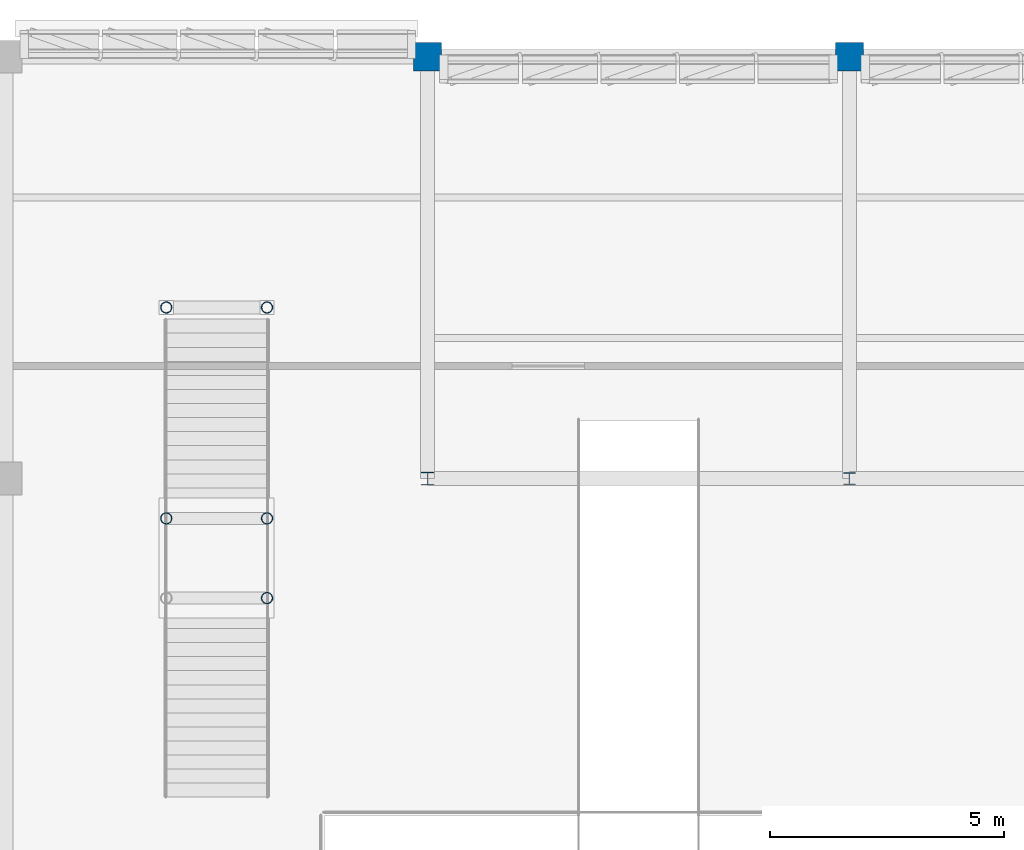
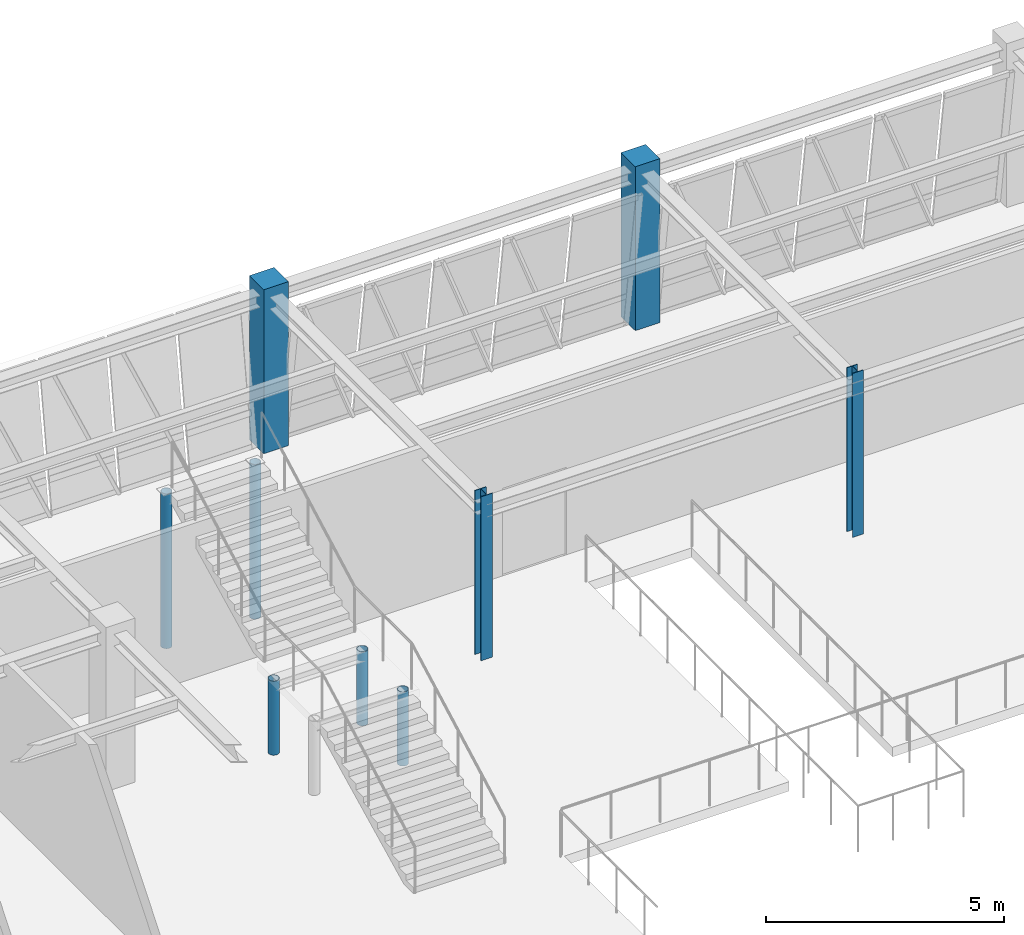
# One storey, part 9 of 108: 9 columns.
"""IFC4 building model written with IfcOpenShell, lengths in metres."""

from ifc_helpers import new_model, si_unit, direction, frame, origin, origin_2d, place, context, subcontext, project, spatial, rectangle, hollow_circle, i_section, extrude, material, material_profile, profile_set, type_object, element, save


model = new_model("IFC4")

# Units and contexts
model_context = context("Model", 3, precision=1e-05, world=origin(), true_north=direction((0.0, 1.0)))
body_context = subcontext(model_context, "Body", "Model", "MODEL_VIEW")
ifc_project = project(units=[si_unit("LENGTHUNIT", "METRE"), si_unit("AREAUNIT", "SQUARE_METRE"), si_unit("VOLUMEUNIT", "CUBIC_METRE"), si_unit("PLANEANGLEUNIT", "RADIAN"), si_unit("MASSUNIT", "GRAM", prefix="KILO")], contexts=[model_context])

# Site, building, storey
site_placement = place(None, origin())
site = spatial("IfcSite", under=ifc_project, at=site_placement, CompositionType="ELEMENT")
building_placement = place(site_placement, origin())
building = spatial("IfcBuilding", under=site, at=building_placement, Name="Lykobir Media Centre", CompositionType="ELEMENT")
storey_placement = place(building_placement, frame((0.0, 0.0, 15.0)))
storey = spatial("IfcBuildingStorey", under=building, at=storey_placement, Name="L03", CompositionType="ELEMENT", Elevation=15.0)

# Columns
ifc_material_1 = material(Name="Concrete C40/50", Category="concrete")
ifc_material_profile_1 = material_profile(ifc_material_1, rectangle(XDim=0.60009765625, YDim=0.60009765625, at=origin_2d()), Name="RC 600x600")
ifc_profile_set_1 = profile_set([ifc_material_profile_1], Name="Concrete C40/50")
column_type_1 = type_object("IfcColumnType", Name="RC-C600-E", PredefinedType="COLUMN", material=ifc_profile_set_1)
for number, where, z_axis, x_axis, name in (
    (1, (54.0, 108.0, 0.0), (0.0, 0.0, 1.0), (1.0, 0.0, 0.0), "Column COL-L03-0540-1080"),
    (2, (63.0, 108.0, 0.0), (0.0, 0.0, 1.0), (1.0, 0.0, 0.0), "Column COL-L03-0630-1080"),
):
    element("IfcColumn", number, at=place(storey_placement, frame(where, z_axis=z_axis, x_axis=x_axis)), inside=storey, type_object=column_type_1, Name=name, PredefinedType="COLUMN", context=body_context, shape_type="SweptSolid", body=[
        extrude(rectangle(XDim=0.60009765625, YDim=0.60009765625, at=origin_2d()), origin(), (0.0, 0.0, 1.0), 4.199951171875),
    ])
ifc_material_2 = material(Name="Steel S355", Category="steel")
ifc_material_profile_2 = material_profile(ifc_material_2, hollow_circle(Radius=0.122314453125, WallThickness=0.012451171875, at=origin_2d()), Name="CHS 244.5x12.5")
ifc_profile_set_2 = profile_set([ifc_material_profile_2], Name="Steel S355")
column_type_2 = type_object("IfcColumnType", Name="SC-CHS244", PredefinedType="COLUMN", material=ifc_profile_set_2)
for number, where, z_axis, x_axis, name in (
    (3, (48.425048828125, 98.14990234375, 0.0), (0.0, 0.0, 1.0), (1.0, 0.0, 0.0), "Valley stair column L03 4-484-982"),
    (4, (50.574951171875, 96.449951171875, 0.0), (0.0, 0.0, 1.0), (1.0, 0.0, 0.0), "Valley stair column L03 4-506-964"),
    (5, (50.574951171875, 98.14990234375, 0.0), (0.0, 0.0, 1.0), (1.0, 0.0, 0.0), "Valley stair column L03 4-506-982"),
):
    element("IfcColumn", number, at=place(storey_placement, frame(where, z_axis=z_axis, x_axis=x_axis)), inside=storey, type_object=column_type_2, Name=name, PredefinedType="COLUMN", context=body_context, shape_type="SweptSolid", body=[
        extrude(hollow_circle(Radius=0.122314453125, WallThickness=0.012451171875, at=origin_2d()), origin(), (0.0, 0.0, 1.0), 1.89501953125),
    ])
for number, where, z_axis, x_axis, name in (
    (6, (48.425048828125, 102.64990234375, 0.0), (0.0, 0.0, 1.0), (1.0, 0.0, 0.0), "Valley arrival column L03 A4-484"),
    (7, (50.574951171875, 102.64990234375, 0.0), (0.0, 0.0, 1.0), (1.0, 0.0, 0.0), "Valley arrival column L03 A4-506"),
):
    element("IfcColumn", number, at=place(storey_placement, frame(where, z_axis=z_axis, x_axis=x_axis)), inside=storey, type_object=column_type_2, Name=name, PredefinedType="COLUMN", context=body_context, shape_type="SweptSolid", body=[
        extrude(hollow_circle(Radius=0.122314453125, WallThickness=0.012451171875, at=origin_2d()), origin(), (0.0, 0.0, 1.0), 3.9599609375),
    ])
ifc_material_profile_3 = material_profile(ifc_material_2, i_section(OverallWidth=0.260009765625, OverallDepth=0.260009765625, WebThickness=0.010009765625, FlangeThickness=0.017578125, at=origin_2d()), Name="HEB 260")
ifc_profile_set_3 = profile_set([ifc_material_profile_3], Name="Steel S355")
column_type_3 = type_object("IfcColumnType", Name="SC-HEB260", PredefinedType="COLUMN", material=ifc_profile_set_3)
column_1_placement = place(storey_placement, frame((63.0, 99.0, 0.0), z_axis=(0.0, 0.0, 1.0), x_axis=(1.0, 0.0, 0.0)))
element("IfcColumn", 8, at=column_1_placement, inside=storey, type_object=column_type_3, Name="Column COL-L03-0630-0990", PredefinedType="COLUMN", context=body_context, shape_type="SweptSolid", body=[
    extrude(i_section(OverallWidth=0.260009765625, OverallDepth=0.260009765625, WebThickness=0.010009765625, FlangeThickness=0.017578125, at=origin_2d()), origin(), (0.0, 0.0, 1.0), 4.199951171875),
])
ifc_material_profile_4 = material_profile(ifc_material_2, i_section(OverallWidth=0.280029296875, OverallDepth=0.280029296875, WebThickness=0.010498046875, FlangeThickness=0.01806640625, at=origin_2d()), Name="HEB 280")
ifc_profile_set_4 = profile_set([ifc_material_profile_4], Name="Steel S355")
column_type_4 = type_object("IfcColumnType", Name="SC-HEB280", PredefinedType="COLUMN", material=ifc_profile_set_4)
column_2_placement = place(storey_placement, frame((54.0, 99.0, 0.0), z_axis=(0.0, 0.0, 1.0), x_axis=(1.0, 0.0, 0.0)))
element("IfcColumn", 9, at=column_2_placement, inside=storey, type_object=column_type_4, Name="Column COL-L03-0540-0990", PredefinedType="COLUMN", context=body_context, shape_type="SweptSolid", body=[
    extrude(i_section(OverallWidth=0.280029296875, OverallDepth=0.280029296875, WebThickness=0.010498046875, FlangeThickness=0.01806640625, at=origin_2d()), origin(), (0.0, 0.0, 1.0), 4.199951171875),
])

save(model, "model.ifc")
